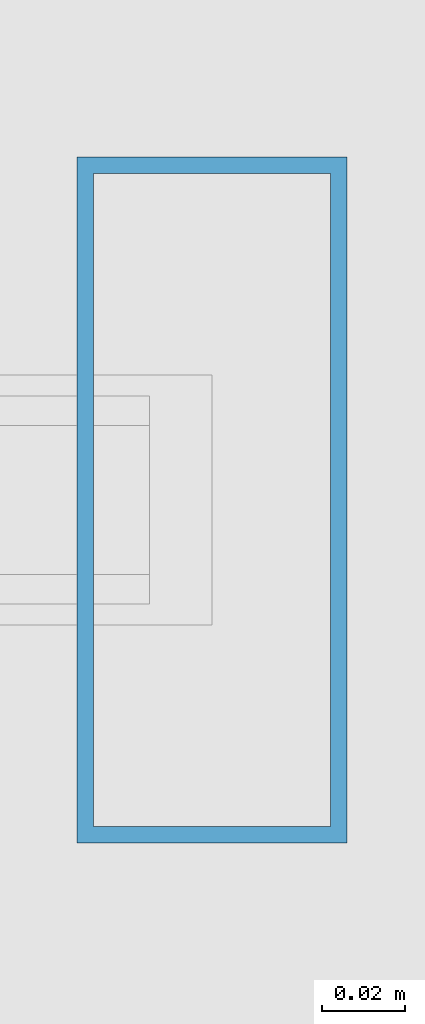
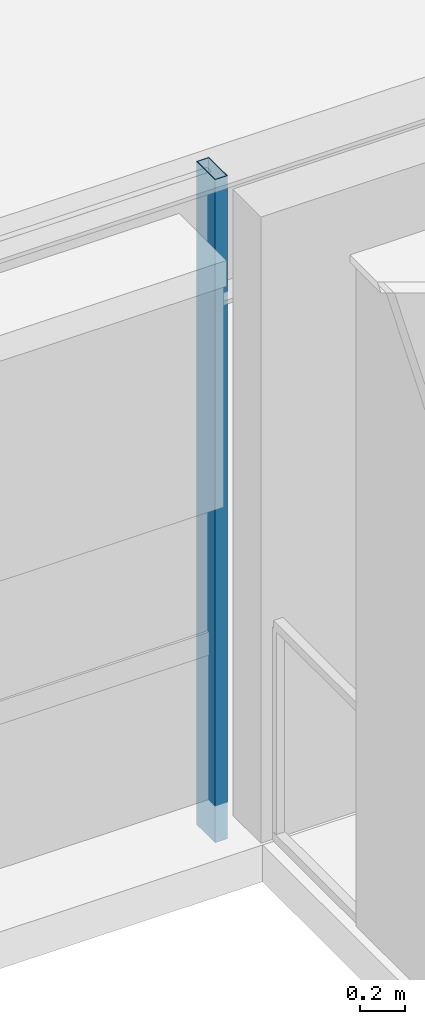
# One storey, part 5 of 30: 1 member, 1 element without a shape of its own.
"""IFC4 building model written with IfcOpenShell, lengths in metres."""

from ifc_helpers import new_model, si_unit, direction, frame, origin, origin_2d, place, context, subcontext, project, spatial, hollow_rectangle, extrude, material, layer, layer_set, material_profile, profile_set, type_object, element, aggregate, save


model = new_model("IFC4")

# Units and contexts
model_context = context("Model", 3, precision=1e-05, world=origin(), true_north=direction((0.0, 1.0)))
body_context = subcontext(model_context, "Body", "Model", "MODEL_VIEW")
ifc_project = project(units=[si_unit("LENGTHUNIT", "METRE"), si_unit("AREAUNIT", "SQUARE_METRE"), si_unit("VOLUMEUNIT", "CUBIC_METRE"), si_unit("PLANEANGLEUNIT", "RADIAN"), si_unit("MASSUNIT", "GRAM", prefix="KILO")], contexts=[model_context])

# Site, building, storey
site_placement = place(None, origin())
site = spatial("IfcSite", under=ifc_project, at=site_placement, CompositionType="ELEMENT")
building_placement = place(site_placement, origin())
building = spatial("IfcBuilding", under=site, at=building_placement, Name="Brelmoor Portico Tower", CompositionType="ELEMENT")
storey_placement = place(building_placement, frame((0.0, 0.0, 169.5)))
storey = spatial("IfcBuildingStorey", under=building, at=storey_placement, Name="L44", CompositionType="ELEMENT", Elevation=169.5)

# Curtain wall, member
ifc_material = material(Name="Anodised Aluminium Alloy 6063-T6", Category="aluminium")
ifc_layer = layer(ifc_material, 0.179931640625)
ifc_layer_set = layer_set([ifc_layer], Name="Anodised Aluminium Alloy 6063-T6")
curtain_wall_type = type_object("IfcCurtainWallType", Name="CW-TOWER-Z3", PredefinedType="NOTDEFINED", material=ifc_layer_set)
curtain_wall_placement = place(storey_placement, origin())
curtain_wall = element("IfcCurtainWall", 1, at=curtain_wall_placement, inside=storey, type_object=curtain_wall_type, Name="L44 Curtain Wall CW-L44-1L-2", PredefinedType="NOTDEFINED")
ifc_material_profile = material_profile(ifc_material, hollow_rectangle(XDim=0.06494140625, YDim=0.1650390625, WallThickness=0.00390625, at=origin_2d()), Name="ALU MULLION 65x165")
ifc_profile_set = profile_set([ifc_material_profile], Name="Anodised Aluminium Alloy 6063-T6")
member_type = type_object("IfcMemberType", Name="MB-CW-MULL-165", PredefinedType="MULLION", material=ifc_profile_set)
member_placement = place(storey_placement, frame((-5.39990234375, -18.550048828125, -0.199951171875), z_axis=(0.0, 0.0, 1.0), x_axis=(1.0, 0.0, 0.0)))
member = element("IfcMember", 2, at=member_placement, type_object=member_type, Name="CW-L44-1L-2 Mullion 01", PredefinedType="MULLION", context=body_context, shape_type="SweptSolid", body=[
    extrude(hollow_rectangle(XDim=0.06494140625, YDim=0.1650390625, WallThickness=0.00390625, at=origin_2d()), origin(), (0.0, 0.0, 1.0), 3.599853515625),
])
aggregate(curtain_wall, [member])

save(model, "model.ifc")
